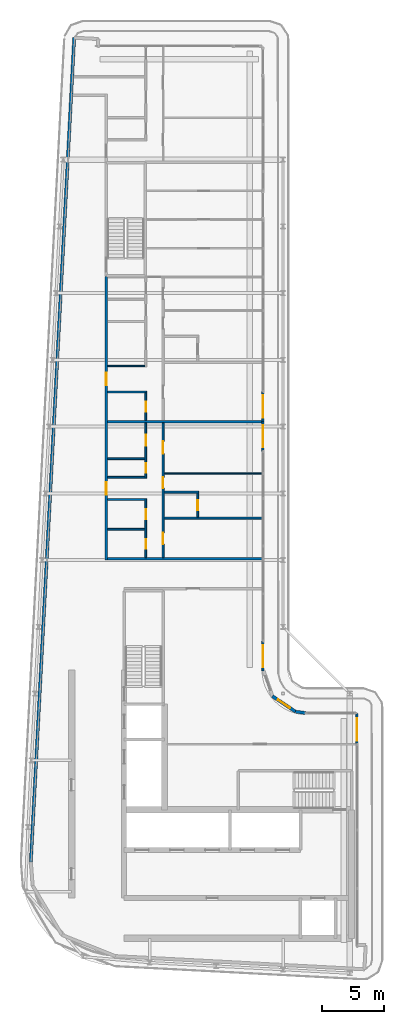
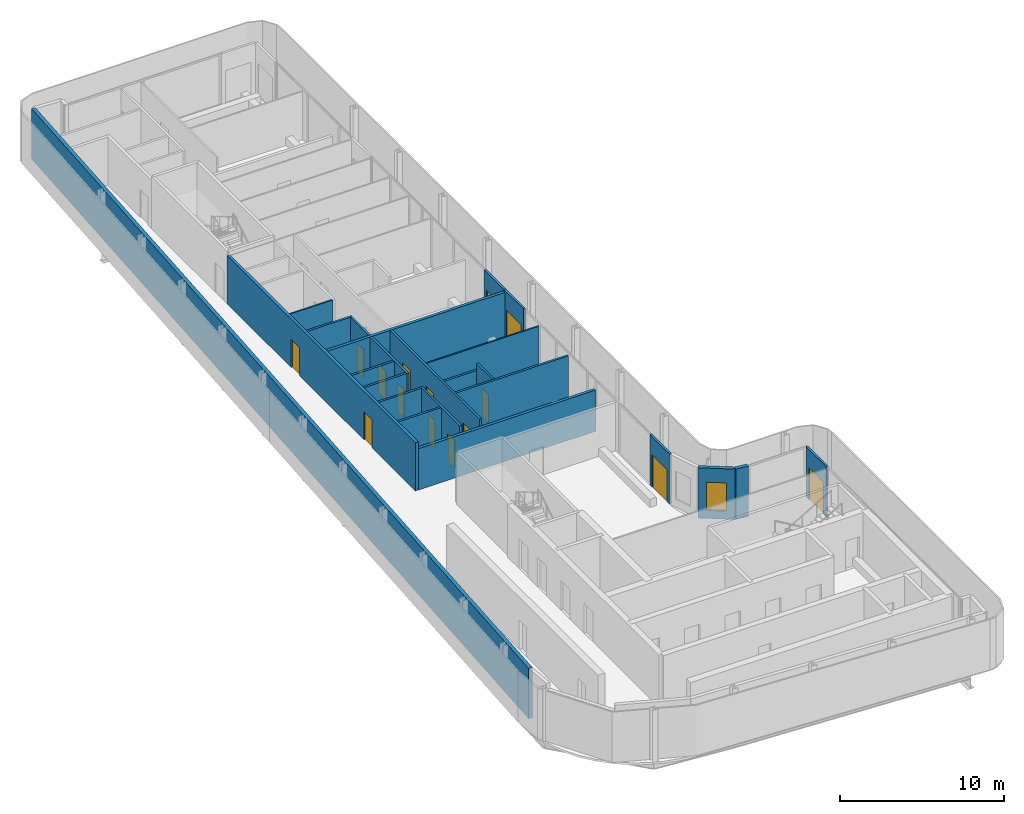
# One storey, part 10 of 18: 24 walls, 15 doors, 1 window, 16 openings.
"""IFC4 building model written with IfcOpenShell, lengths in metres."""

from ifc_helpers import new_model, si_unit, direction, frame, frame_2d, origin, place, context, subcontext, project, spatial, rectangle, extrude, source, transform, mapped, material, layer, layer_set, type_object, element, fill, save


model = new_model("IFC4")

# Units and contexts
model_context = context("Model", 3, precision=1e-05, world=origin(), true_north=direction((0.0, 1.0)))
body_context = subcontext(model_context, "Body", "Model", "MODEL_VIEW")
ifc_project = project(units=[si_unit("LENGTHUNIT", "METRE"), si_unit("AREAUNIT", "SQUARE_METRE"), si_unit("VOLUMEUNIT", "CUBIC_METRE"), si_unit("PLANEANGLEUNIT", "RADIAN"), si_unit("MASSUNIT", "GRAM", prefix="KILO")], contexts=[model_context])

# Site, building, storey
site_placement = place(None, origin())
site = spatial("IfcSite", under=ifc_project, at=site_placement, CompositionType="ELEMENT")
building_placement = place(site_placement, origin())
building = spatial("IfcBuilding", under=site, at=building_placement, Name="Kheshtan School and Residences Tower", CompositionType="ELEMENT")
storey_placement = place(building_placement, frame((0.0, 0.0, 377.300048828125)))
storey = spatial("IfcBuildingStorey", under=building, at=storey_placement, Name="L89", CompositionType="ELEMENT", Elevation=377.300048828125)

# Wall, openings, doors
ifc_material_1 = material(Name="Gypsum board on steel studs with fire boards", Category="steel")
ifc_layer_1 = layer(ifc_material_1, 0.199951171875)
ifc_layer_set_1 = layer_set([ifc_layer_1], Name="Corridor wall 200")
wall_type_1 = type_object("IfcWallType", Name="Corridor wall 200", PredefinedType="PARTITIONING", material=ifc_layer_set_1)
wall_1_placement = place(storey_placement, frame((33.300048828125, 56.39990234375, 0.0), z_axis=(0.0, 0.0, 1.0), x_axis=(0.0, 1.0, 0.0)))
wall_1 = element("IfcWall", 1, at=wall_1_placement, inside=storey, type_object=wall_type_1, Name="Partition L89-003", PredefinedType="PARTITIONING", context=body_context, shape_type="SweptSolid", body=[
    extrude(rectangle(XDim=22.9501953125, YDim=0.199951171875, at=frame_2d((11.47509765625, 0.0))), origin(), (0.0, 0.0, 1.0), 3.599853515625),
])
opening_1_placement = place(wall_1_placement, frame((5.300048828125, 0.0, 0.0)))
opening_1 = element("IfcOpeningElement", 2, at=opening_1_placement, cuts=wall_1, Name="Opening D87-005", PredefinedType="OPENING", context=body_context, shape_type="SweptSolid", body=[
    extrude(rectangle(XDim=1.0, YDim=2.10009765625, at=frame_2d((0.5, 1.050048828125))), frame((0.0, 0.10986328125, 0.0), z_axis=(0.0, -1.0, 0.0), x_axis=(1.0, 0.0, 0.0)), (0.0, 0.0, 1.0), 0.219970703125),
])
opening_2_placement = place(wall_1_placement, frame((14.14990234375, 0.0, 0.0)))
opening_2 = element("IfcOpeningElement", 3, at=opening_2_placement, cuts=wall_1, Name="Opening D87-013", PredefinedType="OPENING", context=body_context, shape_type="SweptSolid", body=[
    extrude(rectangle(XDim=1.0, YDim=2.10009765625, at=frame_2d((0.5, 1.050048828125))), frame((0.0, 0.10986328125, 0.0), z_axis=(0.0, -1.0, 0.0), x_axis=(1.0, 0.0, 0.0)), (0.0, 0.0, 1.0), 0.219970703125),
])
ifc_material_2 = material(Name="Steel-framed fire-resisting door leaf", Category="steel")
door_type_1 = type_object("IfcDoorType", Name="Fire door FD30S 1000 x 2100", OperationType="SINGLE_SWING_LEFT", PredefinedType="DOOR", material=ifc_material_2)
shared_shape_1 = source(origin(), body_context, "Body", "SweptSolid", [
    extrude(rectangle(XDim=1.0, YDim=2.10009765625, at=frame_2d((0.5, 1.050048828125))), frame((0.0, 0.02490234375, 0.0), z_axis=(0.0, -1.0, 0.0), x_axis=(1.0, 0.0, 0.0)), (0.0, 0.0, 1.0), 0.050048828125),
])
door_1_placement = place(opening_1_placement, origin())
door_1 = element("IfcDoor", 4, at=door_1_placement, inside=storey, type_object=door_type_1, Name="Door D87-005", OperationType="SINGLE_SWING_RIGHT", OverallHeight=2.10009765625, OverallWidth=1.0, PredefinedType="DOOR", context=body_context, shape_type="MappedRepresentation", body=[
    mapped(shared_shape_1, transform((0.0, 0.0, 0.0), x_axis=(1.0, 0.0, 0.0), y_axis=(0.0, 1.0, 0.0), z_axis=(0.0, 0.0, 1.0), scale=1.0)),
])
fill(opening_1, door_1)
door_2_placement = place(opening_2_placement, origin())
door_2 = element("IfcDoor", 5, at=door_2_placement, inside=storey, type_object=door_type_1, Name="Door D87-013", OperationType="SINGLE_SWING_LEFT", OverallHeight=2.10009765625, OverallWidth=1.0, PredefinedType="DOOR", context=body_context, shape_type="MappedRepresentation", body=[
    mapped(shared_shape_1, transform((0.0, 0.0, 0.0), x_axis=(1.0, 0.0, 0.0), y_axis=(0.0, 1.0, 0.0), z_axis=(0.0, 0.0, 1.0), scale=1.0)),
])
fill(opening_2, door_2)

# Walls
wall_2_placement = place(storey_placement, frame((33.39990234375, 56.5, 0.0), z_axis=(0.0, 0.0, 1.0), x_axis=(1.0, 0.0, 0.0)))
element("IfcWall", 6, at=wall_2_placement, inside=storey, type_object=wall_type_1, Name="Partition L89-005", PredefinedType="PARTITIONING", context=body_context, shape_type="SweptSolid", body=[
    extrude(rectangle(XDim=12.5, YDim=0.199951171875, at=frame_2d((6.25, 0.0))), origin(), (0.0, 0.0, 1.0), 3.072021484375),
])
ifc_material_3 = material(Name="Concrete C40/50 with ceramic cladding and mineral wool insulation", Category="concrete")
ifc_layer_2 = layer(ifc_material_3, 0.25)
ifc_layer_set_2 = layer_set([ifc_layer_2], Name="External wall 250 ceramic clad")
wall_type_2 = type_object("IfcWallType", Name="External wall 250 ceramic clad", PredefinedType="SOLIDWALL", material=ifc_layer_set_2)
wall_3_placement = place(storey_placement, frame((27.195068359375, 31.968994140625, 0.0), z_axis=(0.0, 0.0, 1.0), x_axis=(0.052554995867, 0.998618031286, 0.0)))
element("IfcWall", 7, at=wall_3_placement, inside=storey, type_object=wall_type_2, Name="External wall L89 4", PredefinedType="SOLIDWALL", context=body_context, shape_type="SweptSolid", body=[
    extrude(rectangle(XDim=66.787353515625, YDim=0.25, at=frame_2d((33.3935546875, 0.0))), origin(), (0.0, 0.0, 1.0), 3.75),
])

# Wall, opening, window
wall_4_placement = place(storey_placement, frame((46.742919921875, 45.388916015625, 0.0), z_axis=(0.0, 0.0, 1.0), x_axis=(0.831449265529, -0.555600682912, 0.0)))
wall_4 = element("IfcWall", 8, at=wall_4_placement, inside=storey, type_object=wall_type_2, Name="External wall L89 10", PredefinedType="SOLIDWALL", context=body_context, shape_type="SweptSolid", body=[
    extrude(rectangle(XDim=2.25146484375, YDim=0.25, at=frame_2d((1.125732421875, 0.0))), origin(), (0.0, 0.0, 1.0), 3.75),
])
opening_3_placement = place(wall_4_placement, frame((0.52490234375, 0.0, 0.60009765625)))
opening_3 = element("IfcOpeningElement", 9, at=opening_3_placement, cuts=wall_4, Name="Opening WN-E", PredefinedType="OPENING", context=body_context, shape_type="SweptSolid", body=[
    extrude(rectangle(XDim=1.199951171875, YDim=2.10009765625, at=frame_2d((0.60009765625, 1.050048828125))), frame((0.0, 0.135009765625, 0.0), z_axis=(0.0, -1.0, 0.0), x_axis=(1.0, 0.0, 0.0)), (0.0, 0.0, 1.0), 0.27001953125),
])
ifc_material_4 = material(Name="Clear low-e glass in thermally broken aluminium frame", Category="aluminium")
window_type = type_object("IfcWindowType", Name="Window WN-E", PartitioningType="SINGLE_PANEL", PredefinedType="WINDOW", material=ifc_material_4)
shared_shape_2 = source(origin(), body_context, "Body", "SweptSolid", [
    extrude(rectangle(XDim=1.199951171875, YDim=2.10009765625, at=frame_2d((0.60009765625, 1.050048828125))), frame((0.0, 0.030029296875, 0.0), z_axis=(0.0, -1.0, 0.0), x_axis=(1.0, 0.0, 0.0)), (0.0, 0.0, 1.0), 0.06005859375),
])
window_placement = place(opening_3_placement, origin())
window = element("IfcWindow", 10, at=window_placement, inside=storey, type_object=window_type, Name="Window L89 10", OverallHeight=2.10009765625, OverallWidth=1.199951171875, PartitioningType="SINGLE_PANEL", PredefinedType="WINDOW", context=body_context, shape_type="MappedRepresentation", body=[
    mapped(shared_shape_2, transform((0.0, 0.0, 0.0), x_axis=(1.0, 0.0, 0.0), y_axis=(0.0, 1.0, 0.0), z_axis=(0.0, 0.0, 1.0), scale=1.0)),
])
fill(opening_3, window)

# Wall
wall_5_placement = place(storey_placement, frame((48.614990234375, 44.137939453125, 0.0), z_axis=(0.0, 0.0, 1.0), x_axis=(0.990741504246, -0.135761819977, 0.0)))
element("IfcWall", 11, at=wall_5_placement, inside=storey, type_object=wall_type_2, Name="External wall L89 11", PredefinedType="SOLIDWALL", context=body_context, shape_type="SweptSolid", body=[
    extrude(rectangle(XDim=0.83984375, YDim=0.25, at=frame_2d((0.419921875, 0.0))), origin(), (0.0, 0.0, 1.0), 3.75),
])

# Wall, opening, door
ifc_material_5 = material(Name="Aluminium frame wall with insulated infill", Category="aluminium")
ifc_layer_3 = layer(ifc_material_5, 0.14990234375)
ifc_layer_set_3 = layer_set([ifc_layer_3], Name="Glazing frame wall 150")
wall_type_3 = type_object("IfcWallType", Name="Glazing frame wall 150", PredefinedType="SOLIDWALL", material=ifc_layer_set_3)
wall_6_placement = place(storey_placement, frame((45.97509765625, 70.01806640625, 0.0), z_axis=(0.0, 0.0, 1.0), x_axis=(0.0, -1.0, 0.0)))
wall_6 = element("IfcWall", 12, at=wall_6_placement, inside=storey, type_object=wall_type_3, Name="Balcony door wall L89 8.3", PredefinedType="SOLIDWALL", context=body_context, shape_type="SweptSolid", body=[
    extrude(rectangle(XDim=2.400146484375, YDim=0.14990234375, at=frame_2d((1.2001953125, 0.0))), origin(), (0.0, 0.0, 1.0), 3.75),
])
opening_4_placement = place(wall_6_placement, frame((0.300048828125, 0.0, 0.0)))
opening_4 = element("IfcOpeningElement", 13, at=opening_4_placement, cuts=wall_6, Name="Opening BD", PredefinedType="OPENING", context=body_context, shape_type="SweptSolid", body=[
    extrude(rectangle(XDim=1.800048828125, YDim=2.39990234375, at=frame_2d((0.89990234375, 1.199951171875))), frame((0.0, 0.0849609375, 0.0), z_axis=(0.0, -1.0, 0.0), x_axis=(1.0, 0.0, 0.0)), (0.0, 0.0, 1.0), 0.169921875),
])
door_type_2 = type_object("IfcDoorType", Name="Balcony sliding door", OperationType="SLIDING_TO_LEFT", PredefinedType="DOOR", material=ifc_material_4)
shared_shape_3 = source(origin(), body_context, "Body", "SweptSolid", [
    extrude(rectangle(XDim=1.800048828125, YDim=2.39990234375, at=frame_2d((0.89990234375, 1.199951171875))), frame((0.0, 0.02490234375, 0.0), z_axis=(0.0, -1.0, 0.0), x_axis=(1.0, 0.0, 0.0)), (0.0, 0.0, 1.0), 0.050048828125),
])
door_3_placement = place(opening_4_placement, origin())
door_3 = element("IfcDoor", 14, at=door_3_placement, inside=storey, type_object=door_type_2, Name="Balcony door L89 8.3", OperationType="SLIDING_TO_LEFT", OverallHeight=2.39990234375, OverallWidth=1.800048828125, PredefinedType="DOOR", context=body_context, shape_type="MappedRepresentation", body=[
    mapped(shared_shape_3, transform((0.0, 0.0, 0.0), x_axis=(1.0, 0.0, 0.0), y_axis=(0.0, 1.0, 0.0), z_axis=(0.0, 0.0, 1.0), scale=1.0)),
])
fill(opening_4, door_3)

wall_7_placement = place(storey_placement, frame((45.97509765625, 67.617919921875, 0.0), z_axis=(0.0, 0.0, 1.0), x_axis=(0.0, -1.0, 0.0)))
wall_7 = element("IfcWall", 15, at=wall_7_placement, inside=storey, type_object=wall_type_3, Name="Balcony door wall L89 8.4", PredefinedType="SOLIDWALL", context=body_context, shape_type="SweptSolid", body=[
    extrude(rectangle(XDim=2.39990234375, YDim=0.14990234375, at=frame_2d((1.199951171875, 0.0))), origin(), (0.0, 0.0, 1.0), 3.75),
])
opening_5_placement = place(wall_7_placement, frame((0.300048828125, 0.0, 0.0)))
opening_5 = element("IfcOpeningElement", 16, at=opening_5_placement, cuts=wall_7, Name="Opening BD", PredefinedType="OPENING", context=body_context, shape_type="SweptSolid", body=[
    extrude(rectangle(XDim=1.800048828125, YDim=2.39990234375, at=frame_2d((0.89990234375, 1.199951171875))), frame((0.0, 0.0849609375, 0.0), z_axis=(0.0, -1.0, 0.0), x_axis=(1.0, 0.0, 0.0)), (0.0, 0.0, 1.0), 0.169921875),
])
door_4_placement = place(opening_5_placement, origin())
door_4 = element("IfcDoor", 17, at=door_4_placement, inside=storey, type_object=door_type_2, Name="Balcony door L89 8.4", OperationType="SLIDING_TO_LEFT", OverallHeight=2.39990234375, OverallWidth=1.800048828125, PredefinedType="DOOR", context=body_context, shape_type="MappedRepresentation", body=[
    mapped(shared_shape_3, transform((0.0, 0.0, 0.0), x_axis=(1.0, 0.0, 0.0), y_axis=(0.0, 1.0, 0.0), z_axis=(0.0, 0.0, 1.0), scale=1.0)),
])
fill(opening_5, door_4)

wall_8_placement = place(storey_placement, frame((45.97509765625, 49.830078125, 0.0), z_axis=(0.0, 0.0, 1.0), x_axis=(0.0, -1.0, 0.0)))
wall_8 = element("IfcWall", 18, at=wall_8_placement, inside=storey, type_object=wall_type_3, Name="Balcony door wall L89 8.5", PredefinedType="SOLIDWALL", context=body_context, shape_type="SweptSolid", body=[
    extrude(rectangle(XDim=2.400146484375, YDim=0.14990234375, at=frame_2d((1.2001953125, 0.0))), origin(), (0.0, 0.0, 1.0), 3.75),
])
opening_6_placement = place(wall_8_placement, frame((0.300048828125, 0.0, 0.0)))
opening_6 = element("IfcOpeningElement", 19, at=opening_6_placement, cuts=wall_8, Name="Opening BD", PredefinedType="OPENING", context=body_context, shape_type="SweptSolid", body=[
    extrude(rectangle(XDim=1.800048828125, YDim=2.39990234375, at=frame_2d((0.89990234375, 1.199951171875))), frame((0.0, 0.0849609375, 0.0), z_axis=(0.0, -1.0, 0.0), x_axis=(1.0, 0.0, 0.0)), (0.0, 0.0, 1.0), 0.169921875),
])
door_5_placement = place(opening_6_placement, origin())
door_5 = element("IfcDoor", 20, at=door_5_placement, inside=storey, type_object=door_type_2, Name="Balcony door L89 8.5", OperationType="SLIDING_TO_LEFT", OverallHeight=2.39990234375, OverallWidth=1.800048828125, PredefinedType="DOOR", context=body_context, shape_type="MappedRepresentation", body=[
    mapped(shared_shape_3, transform((0.0, 0.0, 0.0), x_axis=(1.0, 0.0, 0.0), y_axis=(0.0, 1.0, 0.0), z_axis=(0.0, 0.0, 1.0), scale=1.0)),
])
fill(opening_6, door_5)

wall_9_placement = place(storey_placement, frame((53.574951171875, 43.970947265625, 0.0), z_axis=(0.0, 0.0, 1.0), x_axis=(0.0, -1.0, 0.0)))
wall_9 = element("IfcWall", 21, at=wall_9_placement, inside=storey, type_object=wall_type_3, Name="Balcony door wall L89 13.1", PredefinedType="SOLIDWALL", context=body_context, shape_type="SweptSolid", body=[
    extrude(rectangle(XDim=2.470947265625, YDim=0.14990234375, at=frame_2d((1.2353515625, 0.0))), origin(), (0.0, 0.0, 1.0), 3.75),
])
opening_7_placement = place(wall_9_placement, frame((0.37109375, 0.0, 0.0)))
opening_7 = element("IfcOpeningElement", 22, at=opening_7_placement, cuts=wall_9, Name="Opening BD", PredefinedType="OPENING", context=body_context, shape_type="SweptSolid", body=[
    extrude(rectangle(XDim=1.800048828125, YDim=2.39990234375, at=frame_2d((0.89990234375, 1.199951171875))), frame((0.0, 0.0849609375, 0.0), z_axis=(0.0, -1.0, 0.0), x_axis=(1.0, 0.0, 0.0)), (0.0, 0.0, 1.0), 0.169921875),
])
door_6_placement = place(opening_7_placement, origin())
door_6 = element("IfcDoor", 23, at=door_6_placement, inside=storey, type_object=door_type_2, Name="Balcony door L89 13.1", OperationType="SLIDING_TO_LEFT", OverallHeight=2.39990234375, OverallWidth=1.800048828125, PredefinedType="DOOR", context=body_context, shape_type="MappedRepresentation", body=[
    mapped(shared_shape_3, transform((0.0, 0.0, 0.0), x_axis=(1.0, 0.0, 0.0), y_axis=(0.0, 1.0, 0.0), z_axis=(0.0, 0.0, 1.0), scale=1.0)),
])
fill(opening_7, door_6)

# Walls
ifc_material_6 = material(Name="Gypsum board on steel studs", Category="steel")
ifc_layer_4 = layer(ifc_material_6, 0.10009765625)
ifc_layer_set_4 = layer_set([ifc_layer_4], Name="Gypsum partition 100")
wall_type_4 = type_object("IfcWallType", Name="Gypsum partition 100", PredefinedType="PARTITIONING", material=ifc_layer_set_4)
wall_10_placement = place(storey_placement, frame((33.39990234375, 72.10009765625, 0.0), z_axis=(0.0, 0.0, 1.0), x_axis=(1.0, 0.0, 0.0)))
element("IfcWall", 24, at=wall_10_placement, inside=storey, type_object=wall_type_4, Name="Partition L89-012", PredefinedType="PARTITIONING", context=body_context, shape_type="SweptSolid", body=[
    extrude(rectangle(XDim=3.025146484375, YDim=0.10009765625, at=frame_2d((1.5126953125, 0.0))), origin(), (0.0, 0.0, 1.0), 3.599853515625),
])
wall_11_placement = place(storey_placement, frame((37.97509765625, 63.39990234375, 0.0), z_axis=(0.0, 0.0, 1.0), x_axis=(1.0, 0.0, 0.0)))
element("IfcWall", 25, at=wall_11_placement, inside=storey, type_object=wall_type_4, Name="Partition L89-034", PredefinedType="PARTITIONING", context=body_context, shape_type="SweptSolid", body=[
    extrude(rectangle(XDim=7.9248046875, YDim=0.10009765625, at=frame_2d((3.96240234375, 0.0))), origin(), (0.0, 0.0, 1.0), 3.599853515625),
])
ifc_material_7 = material(Name="Twin gypsum board on steel studs with mineral wool", Category="steel")
ifc_layer_5 = layer(ifc_material_7, 0.199951171875)
ifc_layer_set_5 = layer_set([ifc_layer_5], Name="Unit demising wall 200")
wall_type_5 = type_object("IfcWallType", Name="Unit demising wall 200", PredefinedType="PARTITIONING", material=ifc_layer_set_5)
wall_12_placement = place(storey_placement, frame((33.39990234375, 67.60009765625, 0.0), z_axis=(0.0, 0.0, 1.0), x_axis=(1.0, 0.0, 0.0)))
element("IfcWall", 26, at=wall_12_placement, inside=storey, type_object=wall_type_5, Name="Partition L89-010", PredefinedType="PARTITIONING", context=body_context, shape_type="SweptSolid", body=[
    extrude(rectangle(XDim=12.5, YDim=0.199951171875, at=frame_2d((6.25, 0.0))), origin(), (0.0, 0.0, 1.0), 3.599853515625),
])
ifc_material_8 = material(Name="Moisture-resistant gypsum board on steel studs", Category="steel")
ifc_layer_6 = layer(ifc_material_8, 0.14990234375)
ifc_layer_set_6 = layer_set([ifc_layer_6], Name="Wet-room partition 150")
wall_type_6 = type_object("IfcWallType", Name="Wet-room partition 150", PredefinedType="PARTITIONING", material=ifc_layer_set_6)
for number, where, z_axis, x_axis, name in (
    (27, (33.39990234375, 58.89990234375, 0.0), (0.0, 0.0, 1.0), (1.0, 0.0, 0.0), "Partition L89-006"),
    (28, (33.39990234375, 61.300048828125, 0.0), (0.0, 0.0, 1.0), (1.0, 0.0, 0.0), "Partition L89-007"),
    (29, (33.39990234375, 63.10009765625, 0.0), (0.0, 0.0, 1.0), (1.0, 0.0, 0.0), "Partition L89-008"),
    (30, (33.39990234375, 64.60009765625, 0.0), (0.0, 0.0, 1.0), (1.0, 0.0, 0.0), "Partition L89-009"),
):
    element("IfcWall", number, at=place(storey_placement, frame(where, z_axis=z_axis, x_axis=x_axis)), inside=storey, type_object=wall_type_6, Name=name, PredefinedType="PARTITIONING", context=body_context, shape_type="SweptSolid", body=[
        extrude(rectangle(XDim=3.025146484375, YDim=0.14990234375, at=frame_2d((1.5126953125, 0.0))), origin(), (0.0, 0.0, 1.0), 3.599853515625),
    ])
wall_13_placement = place(storey_placement, frame((33.39990234375, 70.0, 0.0), z_axis=(0.0, 0.0, 1.0), x_axis=(1.0, 0.0, 0.0)))
element("IfcWall", 31, at=wall_13_placement, inside=storey, type_object=wall_type_6, Name="Partition L89-011", PredefinedType="PARTITIONING", context=body_context, shape_type="SweptSolid", body=[
    extrude(rectangle(XDim=3.175048828125, YDim=0.14990234375, at=frame_2d((1.58740234375, 0.0))), origin(), (0.0, 0.0, 1.0), 3.599853515625),
])

# Wall, openings, doors
wall_14_placement = place(storey_placement, frame((36.5, 56.60009765625, 0.0), z_axis=(0.0, 0.0, 1.0), x_axis=(0.0, 1.0, 0.0)))
wall_14 = element("IfcWall", 32, at=wall_14_placement, inside=storey, type_object=wall_type_6, Name="Partition L89-019", PredefinedType="PARTITIONING", context=body_context, shape_type="SweptSolid", body=[
    extrude(rectangle(XDim=4.77490234375, YDim=0.14990234375, at=frame_2d((2.387451171875, 0.0))), origin(), (0.0, 0.0, 1.0), 3.599853515625),
])
opening_8_placement = place(wall_14_placement, frame((3.10009765625, 0.0, 0.0)))
opening_8 = element("IfcOpeningElement", 33, at=opening_8_placement, cuts=wall_14, Name="Opening D87-001", PredefinedType="OPENING", context=body_context, shape_type="SweptSolid", body=[
    extrude(rectangle(XDim=0.800048828125, YDim=2.10009765625, at=frame_2d((0.39990234375, 1.050048828125))), frame((0.0, 0.0849609375, 0.0), z_axis=(0.0, -1.0, 0.0), x_axis=(1.0, 0.0, 0.0)), (0.0, 0.0, 1.0), 0.169921875),
])
opening_9_placement = place(wall_14_placement, frame((0.699951171875, 0.0, 0.0)))
opening_9 = element("IfcOpeningElement", 34, at=opening_9_placement, cuts=wall_14, Name="Opening D87-003", PredefinedType="OPENING", context=body_context, shape_type="SweptSolid", body=[
    extrude(rectangle(XDim=0.800048828125, YDim=2.10009765625, at=frame_2d((0.39990234375, 1.050048828125))), frame((0.0, 0.0849609375, 0.0), z_axis=(0.0, -1.0, 0.0), x_axis=(1.0, 0.0, 0.0)), (0.0, 0.0, 1.0), 0.169921875),
])
ifc_material_9 = material(Name="Veneered timber door leaf", Category="wood")
door_type_3 = type_object("IfcDoorType", Name="Door 800 x 2100", OperationType="SINGLE_SWING_LEFT", PredefinedType="DOOR", material=ifc_material_9)
shared_shape_4 = source(origin(), body_context, "Body", "SweptSolid", [
    extrude(rectangle(XDim=0.800048828125, YDim=2.10009765625, at=frame_2d((0.39990234375, 1.050048828125))), frame((0.0, 0.02490234375, 0.0), z_axis=(0.0, -1.0, 0.0), x_axis=(1.0, 0.0, 0.0)), (0.0, 0.0, 1.0), 0.050048828125),
])
door_7_placement = place(opening_8_placement, origin())
door_7 = element("IfcDoor", 35, at=door_7_placement, inside=storey, type_object=door_type_3, Name="Door D87-001", OperationType="SINGLE_SWING_LEFT", OverallHeight=2.10009765625, OverallWidth=0.800048828125, PredefinedType="DOOR", context=body_context, shape_type="MappedRepresentation", body=[
    mapped(shared_shape_4, transform((0.0, 0.0, 0.0), x_axis=(1.0, 0.0, 0.0), y_axis=(0.0, 1.0, 0.0), z_axis=(0.0, 0.0, 1.0), scale=1.0)),
])
fill(opening_8, door_7)
door_8_placement = place(opening_9_placement, origin())
door_8 = element("IfcDoor", 36, at=door_8_placement, inside=storey, type_object=door_type_3, Name="Door D87-003", OperationType="SINGLE_SWING_LEFT", OverallHeight=2.10009765625, OverallWidth=0.800048828125, PredefinedType="DOOR", context=body_context, shape_type="MappedRepresentation", body=[
    mapped(shared_shape_4, transform((0.0, 0.0, 0.0), x_axis=(1.0, 0.0, 0.0), y_axis=(0.0, 1.0, 0.0), z_axis=(0.0, 0.0, 1.0), scale=1.0)),
])
fill(opening_9, door_8)

wall_15_placement = place(storey_placement, frame((36.5, 63.02490234375, 0.0), z_axis=(0.0, 0.0, 1.0), x_axis=(0.0, 1.0, 0.0)))
wall_15 = element("IfcWall", 37, at=wall_15_placement, inside=storey, type_object=wall_type_6, Name="Partition L89-020", PredefinedType="PARTITIONING", context=body_context, shape_type="SweptSolid", body=[
    extrude(rectangle(XDim=4.47509765625, YDim=0.14990234375, at=frame_2d((2.237548828125, 0.0))), origin(), (0.0, 0.0, 1.0), 3.599853515625),
])
opening_10_placement = place(wall_15_placement, frame((2.625, 0.0, 0.0)))
opening_10 = element("IfcOpeningElement", 38, at=opening_10_placement, cuts=wall_15, Name="Opening D87-006", PredefinedType="OPENING", context=body_context, shape_type="SweptSolid", body=[
    extrude(rectangle(XDim=0.89990234375, YDim=2.10009765625, at=frame_2d((0.449951171875, 1.050048828125))), frame((0.0, 0.0849609375, 0.0), z_axis=(0.0, -1.0, 0.0), x_axis=(1.0, 0.0, 0.0)), (0.0, 0.0, 1.0), 0.169921875),
])
opening_11_placement = place(wall_15_placement, frame((0.425048828125, 0.0, 0.0)))
opening_11 = element("IfcOpeningElement", 39, at=opening_11_placement, cuts=wall_15, Name="Opening D87-009", PredefinedType="OPENING", context=body_context, shape_type="SweptSolid", body=[
    extrude(rectangle(XDim=0.800048828125, YDim=2.10009765625, at=frame_2d((0.39990234375, 1.050048828125))), frame((0.0, 0.0849609375, 0.0), z_axis=(0.0, -1.0, 0.0), x_axis=(1.0, 0.0, 0.0)), (0.0, 0.0, 1.0), 0.169921875),
])
door_9_placement = place(opening_11_placement, origin())
door_9 = element("IfcDoor", 40, at=door_9_placement, inside=storey, type_object=door_type_3, Name="Door D87-009", OperationType="SINGLE_SWING_RIGHT", OverallHeight=2.10009765625, OverallWidth=0.800048828125, PredefinedType="DOOR", context=body_context, shape_type="MappedRepresentation", body=[
    mapped(shared_shape_4, transform((0.0, 0.0, 0.0), x_axis=(1.0, 0.0, 0.0), y_axis=(0.0, 1.0, 0.0), z_axis=(0.0, 0.0, 1.0), scale=1.0)),
])
fill(opening_11, door_9)
door_type_4 = type_object("IfcDoorType", Name="Door 900 x 2100", OperationType="SINGLE_SWING_LEFT", PredefinedType="DOOR", material=ifc_material_9)
shared_shape_5 = source(origin(), body_context, "Body", "SweptSolid", [
    extrude(rectangle(XDim=0.89990234375, YDim=2.10009765625, at=frame_2d((0.449951171875, 1.050048828125))), frame((0.0, 0.02490234375, 0.0), z_axis=(0.0, -1.0, 0.0), x_axis=(1.0, 0.0, 0.0)), (0.0, 0.0, 1.0), 0.050048828125),
])
door_10_placement = place(opening_10_placement, origin())
door_10 = element("IfcDoor", 41, at=door_10_placement, inside=storey, type_object=door_type_4, Name="Door D87-006", OperationType="SINGLE_SWING_RIGHT", OverallHeight=2.10009765625, OverallWidth=0.89990234375, PredefinedType="DOOR", context=body_context, shape_type="MappedRepresentation", body=[
    mapped(shared_shape_5, transform((0.0, 0.0, 0.0), x_axis=(1.0, 0.0, 0.0), y_axis=(0.0, 1.0, 0.0), z_axis=(0.0, 0.0, 1.0), scale=1.0)),
])
fill(opening_10, door_10)

# Wall, opening, door
wall_16_placement = place(storey_placement, frame((36.5, 67.699951171875, 0.0), z_axis=(0.0, 0.0, 1.0), x_axis=(0.0, 1.0, 0.0)))
wall_16 = element("IfcWall", 42, at=wall_16_placement, inside=storey, type_object=wall_type_6, Name="Partition L89-021", PredefinedType="PARTITIONING", context=body_context, shape_type="SweptSolid", body=[
    extrude(rectangle(XDim=2.22509765625, YDim=0.14990234375, at=frame_2d((1.112548828125, 0.0))), origin(), (0.0, 0.0, 1.0), 3.599853515625),
])
opening_12_placement = place(wall_16_placement, frame((0.699951171875, 0.0, 0.0)))
opening_12 = element("IfcOpeningElement", 43, at=opening_12_placement, cuts=wall_16, Name="Opening D87-010", PredefinedType="OPENING", context=body_context, shape_type="SweptSolid", body=[
    extrude(rectangle(XDim=0.800048828125, YDim=2.10009765625, at=frame_2d((0.39990234375, 1.050048828125))), frame((0.0, 0.0849609375, 0.0), z_axis=(0.0, -1.0, 0.0), x_axis=(1.0, 0.0, 0.0)), (0.0, 0.0, 1.0), 0.169921875),
])
door_11_placement = place(opening_12_placement, origin())
door_11 = element("IfcDoor", 44, at=door_11_placement, inside=storey, type_object=door_type_3, Name="Door D87-010", OperationType="SINGLE_SWING_LEFT", OverallHeight=2.10009765625, OverallWidth=0.800048828125, PredefinedType="DOOR", context=body_context, shape_type="MappedRepresentation", body=[
    mapped(shared_shape_4, transform((0.0, 0.0, 0.0), x_axis=(1.0, 0.0, 0.0), y_axis=(0.0, 1.0, 0.0), z_axis=(0.0, 0.0, 1.0), scale=1.0)),
])
fill(opening_12, door_11)

# Wall, openings, doors
wall_17_placement = place(storey_placement, frame((37.89990234375, 56.60009765625, 0.0), z_axis=(0.0, 0.0, 1.0), x_axis=(0.0, 1.0, 0.0)))
wall_17 = element("IfcWall", 45, at=wall_17_placement, inside=storey, type_object=wall_type_6, Name="Partition L89-028", PredefinedType="PARTITIONING", context=body_context, shape_type="SweptSolid", body=[
    extrude(rectangle(XDim=10.89990234375, YDim=0.14990234375, at=frame_2d((5.449951171875, 0.0))), origin(), (0.0, 0.0, 1.0), 3.599853515625),
])
opening_13_placement = place(wall_17_placement, frame((1.10009765625, 0.0, 0.0)))
opening_13 = element("IfcOpeningElement", 46, at=opening_13_placement, cuts=wall_17, Name="Opening D87-002", PredefinedType="OPENING", context=body_context, shape_type="SweptSolid", body=[
    extrude(rectangle(XDim=0.89990234375, YDim=2.10009765625, at=frame_2d((0.449951171875, 1.050048828125))), frame((0.0, 0.0849609375, 0.0), z_axis=(0.0, -1.0, 0.0), x_axis=(1.0, 0.0, 0.0)), (0.0, 0.0, 1.0), 0.169921875),
])
opening_14_placement = place(wall_17_placement, frame((8.39990234375, 0.0, 0.0)))
opening_14 = element("IfcOpeningElement", 47, at=opening_14_placement, cuts=wall_17, Name="Opening D87-007", PredefinedType="OPENING", context=body_context, shape_type="SweptSolid", body=[
    extrude(rectangle(XDim=1.0, YDim=2.10009765625, at=frame_2d((0.5, 1.050048828125))), frame((0.0, 0.0849609375, 0.0), z_axis=(0.0, -1.0, 0.0), x_axis=(1.0, 0.0, 0.0)), (0.0, 0.0, 1.0), 0.169921875),
])
opening_15_placement = place(wall_17_placement, frame((5.60009765625, 0.0, 0.0)))
opening_15 = element("IfcOpeningElement", 48, at=opening_15_placement, cuts=wall_17, Name="Opening D87-008", PredefinedType="OPENING", context=body_context, shape_type="SweptSolid", body=[
    extrude(rectangle(XDim=0.89990234375, YDim=2.10009765625, at=frame_2d((0.449951171875, 1.050048828125))), frame((0.0, 0.0849609375, 0.0), z_axis=(0.0, -1.0, 0.0), x_axis=(1.0, 0.0, 0.0)), (0.0, 0.0, 1.0), 0.169921875),
])
door_type_5 = type_object("IfcDoorType", Name="Door 1000 x 2100", OperationType="SINGLE_SWING_LEFT", PredefinedType="DOOR", material=ifc_material_9)
shared_shape_6 = source(origin(), body_context, "Body", "SweptSolid", [
    extrude(rectangle(XDim=1.0, YDim=2.10009765625, at=frame_2d((0.5, 1.050048828125))), frame((0.0, 0.02490234375, 0.0), z_axis=(0.0, -1.0, 0.0), x_axis=(1.0, 0.0, 0.0)), (0.0, 0.0, 1.0), 0.050048828125),
])
door_12_placement = place(opening_14_placement, origin())
door_12 = element("IfcDoor", 49, at=door_12_placement, inside=storey, type_object=door_type_5, Name="Door D87-007", OperationType="SINGLE_SWING_RIGHT", OverallHeight=2.10009765625, OverallWidth=1.0, PredefinedType="DOOR", context=body_context, shape_type="MappedRepresentation", body=[
    mapped(shared_shape_6, transform((0.0, 0.0, 0.0), x_axis=(1.0, 0.0, 0.0), y_axis=(0.0, 1.0, 0.0), z_axis=(0.0, 0.0, 1.0), scale=1.0)),
])
fill(opening_14, door_12)
door_13_placement = place(opening_13_placement, origin())
door_13 = element("IfcDoor", 50, at=door_13_placement, inside=storey, type_object=door_type_4, Name="Door D87-002", OperationType="SINGLE_SWING_LEFT", OverallHeight=2.10009765625, OverallWidth=0.89990234375, PredefinedType="DOOR", context=body_context, shape_type="MappedRepresentation", body=[
    mapped(shared_shape_5, transform((0.0, 0.0, 0.0), x_axis=(1.0, 0.0, 0.0), y_axis=(0.0, 1.0, 0.0), z_axis=(0.0, 0.0, 1.0), scale=1.0)),
])
fill(opening_13, door_13)
door_14_placement = place(opening_15_placement, origin())
door_14 = element("IfcDoor", 51, at=door_14_placement, inside=storey, type_object=door_type_4, Name="Door D87-008", OperationType="SINGLE_SWING_RIGHT", OverallHeight=2.10009765625, OverallWidth=0.89990234375, PredefinedType="DOOR", context=body_context, shape_type="MappedRepresentation", body=[
    mapped(shared_shape_5, transform((0.0, 0.0, 0.0), x_axis=(1.0, 0.0, 0.0), y_axis=(0.0, 1.0, 0.0), z_axis=(0.0, 0.0, 1.0), scale=1.0)),
])
fill(opening_15, door_14)

# Walls
wall_18_placement = place(storey_placement, frame((37.97509765625, 59.800048828125, 0.0), z_axis=(0.0, 0.0, 1.0), x_axis=(1.0, 0.0, 0.0)))
element("IfcWall", 52, at=wall_18_placement, inside=storey, type_object=wall_type_6, Name="Partition L89-032", PredefinedType="PARTITIONING", context=body_context, shape_type="SweptSolid", body=[
    extrude(rectangle(XDim=7.9248046875, YDim=0.14990234375, at=frame_2d((3.96240234375, 0.0))), origin(), (0.0, 0.0, 1.0), 3.599853515625),
])
wall_19_placement = place(storey_placement, frame((37.97509765625, 61.89990234375, 0.0), z_axis=(0.0, 0.0, 1.0), x_axis=(1.0, 0.0, 0.0)))
element("IfcWall", 53, at=wall_19_placement, inside=storey, type_object=wall_type_6, Name="Partition L89-033", PredefinedType="PARTITIONING", context=body_context, shape_type="SweptSolid", body=[
    extrude(rectangle(XDim=2.7998046875, YDim=0.14990234375, at=frame_2d((1.39990234375, 0.0))), origin(), (0.0, 0.0, 1.0), 3.072021484375),
])

# Wall, opening, door
wall_20_placement = place(storey_placement, frame((40.699951171875, 59.875, 0.0), z_axis=(0.0, 0.0, 1.0), x_axis=(0.0, 1.0, 0.0)))
wall_20 = element("IfcWall", 54, at=wall_20_placement, inside=storey, type_object=wall_type_6, Name="Partition L89-039", PredefinedType="PARTITIONING", context=body_context, shape_type="SweptSolid", body=[
    extrude(rectangle(XDim=1.949951171875, YDim=0.14990234375, at=frame_2d((0.97509765625, 0.0))), origin(), (0.0, 0.0, 1.0), 3.599853515625),
])
opening_16_placement = place(wall_20_placement, frame((0.574951171875, 0.0, 0.0)))
opening_16 = element("IfcOpeningElement", 55, at=opening_16_placement, cuts=wall_20, Name="Opening D87-004", PredefinedType="OPENING", context=body_context, shape_type="SweptSolid", body=[
    extrude(rectangle(XDim=0.800048828125, YDim=2.10009765625, at=frame_2d((0.39990234375, 1.050048828125))), frame((0.0, 0.0849609375, 0.0), z_axis=(0.0, -1.0, 0.0), x_axis=(1.0, 0.0, 0.0)), (0.0, 0.0, 1.0), 0.169921875),
])
door_15_placement = place(opening_16_placement, origin())
door_15 = element("IfcDoor", 56, at=door_15_placement, inside=storey, type_object=door_type_3, Name="Door D87-004", OperationType="SINGLE_SWING_RIGHT", OverallHeight=2.10009765625, OverallWidth=0.800048828125, PredefinedType="DOOR", context=body_context, shape_type="MappedRepresentation", body=[
    mapped(shared_shape_4, transform((0.0, 0.0, 0.0), x_axis=(1.0, 0.0, 0.0), y_axis=(0.0, 1.0, 0.0), z_axis=(0.0, 0.0, 1.0), scale=1.0)),
])
fill(opening_16, door_15)

save(model, "model.ifc")
